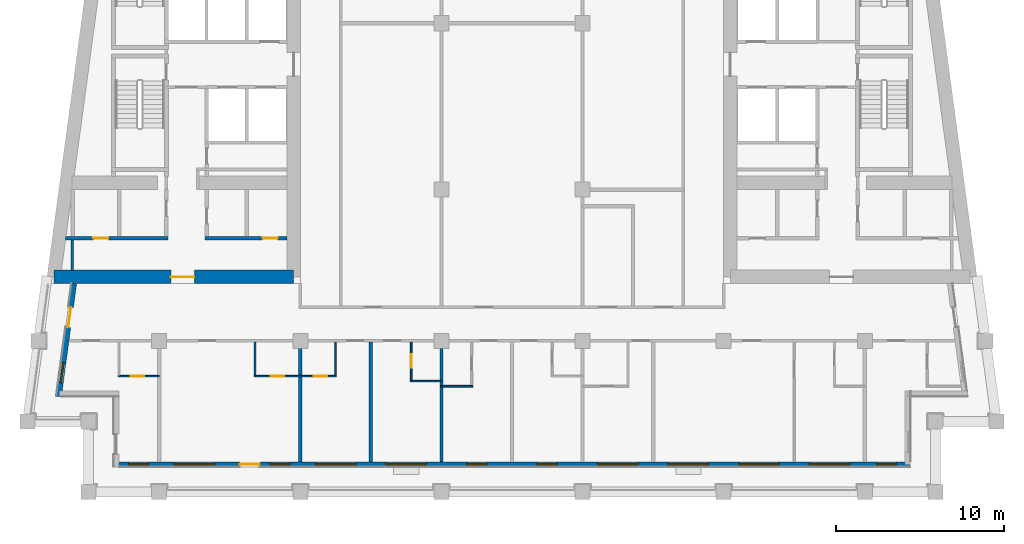
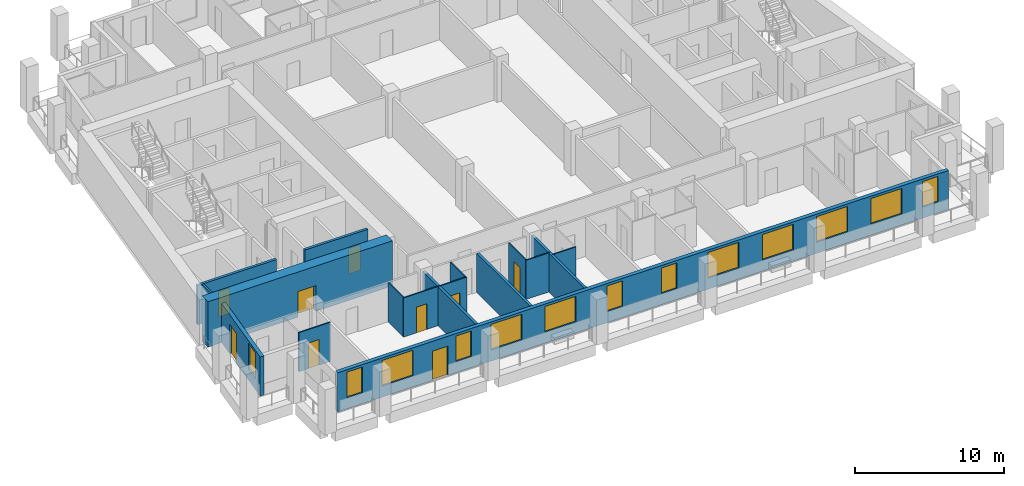
# One storey, part 2 of 13: 16 walls, 13 windows, 9 doors, 22 openings.
"""IFC4 building model written with IfcOpenShell, lengths in metres."""

import ifcopenshell
import ifcopenshell.guid

model = None  # the IFC model being written
_history = None  # IfcOwnerHistory: only IFC2X3 demands one
_inside = {}  # id of a spatial element -> (the spatial element, [elements in it])
_under = {}  # id of a project, library or spatial element -> (it, [spatial elements below it])
_declared = {}  # id of a project -> (the project, [libraries it declares])
_typed = {}  # id of a type object -> (the type object, [elements of that type])
_made_of = {}  # id of a material, layer set ... -> (it, [elements and type objects made of it])


def new_model(schema):
    """Start an empty IFC model of exactly this schema.

    Asked for "IFC4X3", IfcOpenShell would pick the latest addendum, in which some entities
    have other attributes; the version numbers below select the first issue.
    IFC2X3 requires an IfcOwnerHistory on every rooted entity: one is made here for all.
    """
    global model, _history
    if schema == "IFC4X3":
        model = ifcopenshell.file(schema_version=(4, 3, 0, 0))
    else:
        model = ifcopenshell.file(schema=schema)
    _inside.clear()
    _under.clear()
    _declared.clear()
    _typed.clear()
    _made_of.clear()
    _history = None
    if model.schema == "IFC2X3":
        org = make("IfcOrganization", Name="unknown")
        user = make(
            "IfcPersonAndOrganization",
            ThePerson=make("IfcPerson", FamilyName="unknown"),
            TheOrganization=org,
        )
        app = make(
            "IfcApplication",
            ApplicationDeveloper=org,
            Version="unknown",
            ApplicationFullName="unknown",
            ApplicationIdentifier="unknown",
        )
        _history = make(
            "IfcOwnerHistory",
            OwningUser=user,
            OwningApplication=app,
            ChangeAction="ADDED",
            CreationDate=0,
        )
    return model


def make(cls, **values):
    """One entity of the class cls with the attributes given. An attribute that is None is left unset."""
    return model.create_entity(
        cls, **{name: value for name, value in values.items() if value is not None}
    )


def rooted(cls, **values):
    """An entity with a GlobalId (a new one), such as an element, a storey or a relation."""
    return make(cls, GlobalId=ifcopenshell.guid.new(), OwnerHistory=_history, **values)


def si_unit(unit_type, name, prefix=None):
    """IfcSIUnit, for example si_unit("LENGTHUNIT", "METRE", prefix="MILLI")."""
    return make("IfcSIUnit", UnitType=unit_type, Prefix=prefix, Name=name)


def assignment(units):
    """IfcUnitAssignment: the units of a project."""
    return None if units is None else make("IfcUnitAssignment", Units=units)


def point(xyz):
    """IfcCartesianPoint."""
    return None if xyz is None else make("IfcCartesianPoint", Coordinates=xyz)


def direction(xyz):
    """IfcDirection."""
    return None if xyz is None else make("IfcDirection", DirectionRatios=xyz)


def frame(location, z_axis=None, x_axis=None):
    """IfcAxis2Placement3D, a coordinate frame: its origin and axes. An axis left out is left unset."""
    return make(
        "IfcAxis2Placement3D",
        Location=point(location),
        Axis=direction(z_axis),
        RefDirection=direction(x_axis),
    )


def frame_2d(location, x_axis=None):
    """IfcAxis2Placement2D, a coordinate frame in the plane: its origin and x axis."""
    return make(
        "IfcAxis2Placement2D", Location=point(location), RefDirection=direction(x_axis)
    )


def origin():
    """The frame at (0, 0, 0) with its axes left unset."""
    return frame((0.0, 0.0, 0.0))


def place(relative_to, where):
    """IfcLocalPlacement: puts the frame where relative to a parent placement (None: the world)."""
    return make(
        "IfcLocalPlacement", PlacementRelTo=relative_to, RelativePlacement=where
    )


def context(
    kind, dimensions, precision=None, world=None, true_north=None, identifier=None
):
    """IfcGeometricRepresentationContext, for example the 3D "Model" context."""
    return make(
        "IfcGeometricRepresentationContext",
        ContextIdentifier=identifier,
        ContextType=kind,
        CoordinateSpaceDimension=dimensions,
        Precision=precision,
        WorldCoordinateSystem=world,
        TrueNorth=true_north,
    )


def subcontext(parent, identifier, kind, view, scale=None):
    """IfcGeometricRepresentationSubContext, for example "Body" below "Model"."""
    return make(
        "IfcGeometricRepresentationSubContext",
        ContextIdentifier=identifier,
        ContextType=kind,
        ParentContext=parent,
        TargetScale=scale,
        TargetView=view,
    )


def project(units=None, contexts=None):
    """IfcProject with its units and contexts."""
    return rooted(
        "IfcProject",
        Name="project",
        RepresentationContexts=contexts,
        UnitsInContext=assignment(units),
    )


def spatial(cls, under=None, at=None, **own):
    """A site, building, storey or space (cls), placed at a placement, below another one or the project."""
    s = rooted(cls, ObjectPlacement=at, **own)
    if under is not None:
        _under.setdefault(under.id(), (under, []))[1].append(s)
    return s


def profile(cls, at=None, kind="AREA", **sizes):
    """A parametric profile (cls). Its sizes go by their IFC names, for example OverallWidth=200.0."""
    return make(cls, ProfileType=kind, Position=at, **sizes)


def rectangle(**sizes):
    """IfcRectangleProfileDef."""
    return profile("IfcRectangleProfileDef", **sizes)


def extrude(swept, where, along, depth):
    """IfcExtrudedAreaSolid: the profile swept, set in the frame where, extruded along a direction by depth."""
    return make(
        "IfcExtrudedAreaSolid",
        SweptArea=swept,
        Position=where,
        ExtrudedDirection=direction(along),
        Depth=depth,
    )


def shape(context_of_items, identifier, shape_type, items):
    """IfcShapeRepresentation: the items that make up one representation, for example the "Body"."""
    return make(
        "IfcShapeRepresentation",
        ContextOfItems=context_of_items,
        RepresentationIdentifier=identifier,
        RepresentationType=shape_type,
        Items=items,
    )


def material(Name=None, Category=None):
    """IfcMaterial."""
    return make("IfcMaterial", Name=Name, Category=Category)


def layer(
    of_material, thickness, ventilated=None, Name=None, Category=None, Priority=None
):
    """IfcMaterialLayer: one layer of a wall or slab, of a material (None: an air gap)."""
    return make(
        "IfcMaterialLayer",
        Material=of_material,
        LayerThickness=thickness,
        IsVentilated=ventilated,
        Name=Name,
        Category=Category,
        Priority=Priority,
    )


def layer_set(layers, Name=None):
    """IfcMaterialLayerSet."""
    return make("IfcMaterialLayerSet", MaterialLayers=layers, LayerSetName=Name)


def made_of(thing, what):
    """Note that an element or type object is made of a material, layer set ...; save() writes the relation."""
    if what is not None:
        _made_of.setdefault(what.id(), (what, []))[1].append(thing)
    return thing


def type_object(cls, material=None, **own):
    """A type object (cls), such as IfcWallType, which elements share."""
    return made_of(rooted(cls, **own), material)


def element(
    cls,
    number,
    at=None,
    inside=None,
    cuts=None,
    type_object=None,
    material=None,
    context=None,
    identifier="Body",
    shape_type=None,
    held_by="IfcProductDefinitionShape",
    body=None,
    shapes=None,
    **own,
):
    """One element of the class cls, such as IfcWall. Its Tag is "e" and its number.

    at: its placement. inside: the storey or other place that contains it. cuts: it is an
    opening in that element (IfcRelVoidsElement). A single representation is given by context,
    identifier, shape_type and body (its items); several are given by shapes. held_by: the class
    of the entity that holds the representations. save() writes the other relations.
    """
    e = rooted(cls, Tag="e%d" % number, ObjectPlacement=at, **own)
    if body is not None:
        shapes = [shape(context, identifier, shape_type, body)]
    if shapes is not None:
        e.Representation = make(held_by, Representations=shapes)
    if inside is not None:
        _inside.setdefault(inside.id(), (inside, []))[1].append(e)
    if cuts is not None:
        rooted(
            "IfcRelVoidsElement", RelatingBuildingElement=cuts, RelatedOpeningElement=e
        )
    if type_object is not None:
        _typed.setdefault(type_object.id(), (type_object, []))[1].append(e)
    return made_of(e, material)


def fill(opening, filler):
    """IfcRelFillsElement: the door or window that sits in an opening."""
    return rooted(
        "IfcRelFillsElement",
        RelatingOpeningElement=opening,
        RelatedBuildingElement=filler,
    )


def aggregate(whole, parts):
    """IfcRelAggregates: a whole, such as a stair, and the parts it consists of."""
    return rooted("IfcRelAggregates", RelatingObject=whole, RelatedObjects=parts)


def save(model, path):
    """Write the relations noted so far, then the file.

    IfcRelAggregates (storeys below a building ...), IfcRelContainedInSpatialStructure (elements
    in a storey), IfcRelDefinesByType, IfcRelAssociatesMaterial and IfcRelDeclares: one each for
    every whole, place, type object, material and project.
    """
    for whole, parts in _under.values():
        aggregate(whole, parts)
    for where, things in _inside.values():
        rooted(
            "IfcRelContainedInSpatialStructure",
            RelatedElements=things,
            RelatingStructure=where,
        )
    for kind, things in _typed.values():
        rooted("IfcRelDefinesByType", RelatedObjects=things, RelatingType=kind)
    for what, things in _made_of.values():
        rooted("IfcRelAssociatesMaterial", RelatedObjects=things, RelatingMaterial=what)
    for by, libraries in _declared.values():
        rooted("IfcRelDeclares", RelatingContext=by, RelatedDefinitions=libraries)
    model.write(path)


model = new_model("IFC4")

# Units and contexts
model_context = context("Model", 3, precision=1e-05, world=origin(), true_north=direction((0.0, 1.0)))
body_context = subcontext(model_context, "Body", "Model", "MODEL_VIEW")
ifc_project = project(units=[si_unit("LENGTHUNIT", "METRE"), si_unit("AREAUNIT", "SQUARE_METRE"), si_unit("VOLUMEUNIT", "CUBIC_METRE"), si_unit("PLANEANGLEUNIT", "RADIAN"), si_unit("MASSUNIT", "GRAM", prefix="KILO")], contexts=[model_context])

# Site, building, storey
site_placement = place(None, origin())
site = spatial("IfcSite", under=ifc_project, at=site_placement, CompositionType="ELEMENT")
building_placement = place(site_placement, origin())
building = spatial("IfcBuilding", under=site, at=building_placement, Name="Candeia Pilgrim Tower and Theatre", CompositionType="ELEMENT")
storey_placement = place(building_placement, frame((0.0, 0.0, 242.89990234375)))
storey = spatial("IfcBuildingStorey", under=building, at=storey_placement, Name="L59", CompositionType="ELEMENT", Elevation=242.89990234375)

# Wall, opening, door
ifc_material_1 = material(Name="Concrete C50/60", Category="concrete")
ifc_layer_1 = layer(ifc_material_1, 0.800048828125)
ifc_layer_set_1 = layer_set([ifc_layer_1], Name="Core wall 800 C50/60")
wall_type_1 = type_object("IfcWallType", Name="Core wall 800 C50/60", PredefinedType="SHEAR", material=ifc_layer_set_1)
wall_1_placement = place(storey_placement, frame((100.39990234375, 110.800048828125, 0.0), z_axis=(0.0, 0.0, 1.0), x_axis=(-1.0, 0.0, 0.0)))
wall_1 = element("IfcWall", 1, at=wall_1_placement, inside=storey, type_object=wall_type_1, Name="Core wall W3", PredefinedType="SHEAR", context=body_context, shape_type="SweptSolid", body=[
    extrude(rectangle(XDim=14.273193359375, YDim=0.800048828125, at=frame_2d((7.13671875, 0.0))), origin(), (0.0, 0.0, 1.0), 3.7001953125),
])
opening_1_placement = place(wall_1_placement, frame((5.907958984375, 0.0, 0.0)))
opening_1 = element("IfcOpeningElement", 2, at=opening_1_placement, cuts=wall_1, Name="Opening L59-D056", PredefinedType="OPENING", context=body_context, shape_type="SweptSolid", body=[
    extrude(rectangle(XDim=1.39990234375, YDim=2.10009765625, at=frame_2d((0.699951171875, 1.050048828125))), frame((0.0, 0.41015625, 0.0), z_axis=(0.0, -1.0, 0.0), x_axis=(1.0, 0.0, 0.0)), (0.0, 0.0, 1.0), 0.820068359375),
])
ifc_material_2 = material(Name="Steel fire door set", Category="steel")
door_type_1 = type_object("IfcDoorType", Name="D-1400-FD60", OperationType="NOTDEFINED", PredefinedType="DOOR", material=ifc_material_2)
door_1_placement = place(opening_1_placement, origin())
door_1 = element("IfcDoor", 3, at=door_1_placement, inside=storey, type_object=door_type_1, Name="Door L59-D056", OperationType="SINGLE_SWING_LEFT", OverallHeight=2.10009765625, OverallWidth=1.39990234375, PredefinedType="DOOR", context=body_context, shape_type="SweptSolid", body=[
    extrude(rectangle(XDim=1.39990234375, YDim=2.10009765625, at=frame_2d((0.699951171875, 1.050048828125))), frame((0.0, 0.02490234375, 0.0), z_axis=(0.0, -1.0, 0.0), x_axis=(1.0, 0.0, 0.0)), (0.0, 0.0, 1.0), 0.050048828125),
])
fill(opening_1, door_1)

# Wall, openings, door, windows
ifc_material_3 = material(Name="Ceramic block masonry", Category="masonry")
ifc_layer_2 = layer(ifc_material_3, 0.300048828125)
ifc_layer_set_2 = layer_set([ifc_layer_2], Name="EW1 glazing-line wall 300")
wall_type_2 = type_object("IfcWallType", Name="EW1 glazing-line wall 300", PredefinedType="SOLIDWALL", material=ifc_layer_set_2)
wall_2_placement = place(storey_placement, frame((89.85009765625, 99.64990234375, 0.0), z_axis=(0.0, 0.0, 1.0), x_axis=(1.0, 0.0, 0.0)))
wall_2 = element("IfcWall", 4, at=wall_2_placement, inside=storey, type_object=wall_type_2, Name="External wall L59-0.0", PredefinedType="SOLIDWALL", context=body_context, shape_type="SweptSolid", body=[
    extrude(rectangle(XDim=47.25, YDim=0.300048828125, at=frame_2d((23.625, 0.0))), origin(), (0.0, 0.0, 1.0), 3.2001953125),
])
opening_2_placement = place(wall_2_placement, frame((0.72509765625, 0.0, 0.89990234375)))
opening_2 = element("IfcOpeningElement", 5, at=opening_2_placement, cuts=wall_2, Name="Opening W-B", PredefinedType="OPENING", context=body_context, shape_type="SweptSolid", body=[
    extrude(rectangle(XDim=1.199951171875, YDim=2.10009765625, at=frame_2d((0.60009765625, 1.050048828125))), frame((0.0, 0.16015625, 0.0), z_axis=(0.0, -1.0, 0.0), x_axis=(1.0, 0.0, 0.0)), (0.0, 0.0, 1.0), 0.320068359375),
])
opening_3_placement = place(wall_2_placement, frame((3.449951171875, 0.0, 0.89990234375)))
opening_3 = element("IfcOpeningElement", 6, at=opening_3_placement, cuts=wall_2, Name="Opening W-A", PredefinedType="OPENING", context=body_context, shape_type="SweptSolid", body=[
    extrude(rectangle(XDim=2.39990234375, YDim=2.10009765625, at=frame_2d((1.199951171875, 1.050048828125))), frame((0.0, 0.16015625, 0.0), z_axis=(0.0, -1.0, 0.0), x_axis=(1.0, 0.0, 0.0)), (0.0, 0.0, 1.0), 0.320068359375),
])
opening_4_placement = place(wall_2_placement, frame((7.35009765625, 0.0, 0.0)))
opening_4 = element("IfcOpeningElement", 7, at=opening_4_placement, cuts=wall_2, Name="Opening L59-ED567", PredefinedType="OPENING", context=body_context, shape_type="SweptSolid", body=[
    extrude(rectangle(XDim=1.199951171875, YDim=2.39990234375, at=frame_2d((0.60009765625, 1.199951171875))), frame((0.0, 0.16015625, 0.0), z_axis=(0.0, -1.0, 0.0), x_axis=(1.0, 0.0, 0.0)), (0.0, 0.0, 1.0), 0.320068359375),
])
opening_5_placement = place(wall_2_placement, frame((9.14990234375, 0.0, 0.89990234375)))
opening_5 = element("IfcOpeningElement", 8, at=opening_5_placement, cuts=wall_2, Name="Opening W-B", PredefinedType="OPENING", context=body_context, shape_type="SweptSolid", body=[
    extrude(rectangle(XDim=1.199951171875, YDim=2.10009765625, at=frame_2d((0.60009765625, 1.050048828125))), frame((0.0, 0.16015625, 0.0), z_axis=(0.0, -1.0, 0.0), x_axis=(1.0, 0.0, 0.0)), (0.0, 0.0, 1.0), 0.320068359375),
])
opening_6_placement = place(wall_2_placement, frame((11.85009765625, 0.0, 0.89990234375)))
opening_6 = element("IfcOpeningElement", 9, at=opening_6_placement, cuts=wall_2, Name="Opening W-A", PredefinedType="OPENING", context=body_context, shape_type="SweptSolid", body=[
    extrude(rectangle(XDim=2.39990234375, YDim=2.10009765625, at=frame_2d((1.199951171875, 1.050048828125))), frame((0.0, 0.16015625, 0.0), z_axis=(0.0, -1.0, 0.0), x_axis=(1.0, 0.0, 0.0)), (0.0, 0.0, 1.0), 0.320068359375),
])
opening_7_placement = place(wall_2_placement, frame((16.050048828125, 0.0, 0.89990234375)))
opening_7 = element("IfcOpeningElement", 10, at=opening_7_placement, cuts=wall_2, Name="Opening W-A", PredefinedType="OPENING", context=body_context, shape_type="SweptSolid", body=[
    extrude(rectangle(XDim=2.39990234375, YDim=2.10009765625, at=frame_2d((1.199951171875, 1.050048828125))), frame((0.0, 0.16015625, 0.0), z_axis=(0.0, -1.0, 0.0), x_axis=(1.0, 0.0, 0.0)), (0.0, 0.0, 1.0), 0.320068359375),
])
opening_8_placement = place(wall_2_placement, frame((20.85009765625, 0.0, 0.89990234375)))
opening_8 = element("IfcOpeningElement", 11, at=opening_8_placement, cuts=wall_2, Name="Opening W-B", PredefinedType="OPENING", context=body_context, shape_type="SweptSolid", body=[
    extrude(rectangle(XDim=1.199951171875, YDim=2.10009765625, at=frame_2d((0.60009765625, 1.050048828125))), frame((0.0, 0.16015625, 0.0), z_axis=(0.0, -1.0, 0.0), x_axis=(1.0, 0.0, 0.0)), (0.0, 0.0, 1.0), 0.320068359375),
])
opening_9_placement = place(wall_2_placement, frame((25.050048828125, 0.0, 0.89990234375)))
opening_9 = element("IfcOpeningElement", 12, at=opening_9_placement, cuts=wall_2, Name="Opening W-B", PredefinedType="OPENING", context=body_context, shape_type="SweptSolid", body=[
    extrude(rectangle(XDim=1.199951171875, YDim=2.10009765625, at=frame_2d((0.60009765625, 1.050048828125))), frame((0.0, 0.16015625, 0.0), z_axis=(0.0, -1.0, 0.0), x_axis=(1.0, 0.0, 0.0)), (0.0, 0.0, 1.0), 0.320068359375),
])
opening_10_placement = place(wall_2_placement, frame((28.64990234375, 0.0, 0.89990234375)))
opening_10 = element("IfcOpeningElement", 13, at=opening_10_placement, cuts=wall_2, Name="Opening W-A", PredefinedType="OPENING", context=body_context, shape_type="SweptSolid", body=[
    extrude(rectangle(XDim=2.39990234375, YDim=2.10009765625, at=frame_2d((1.199951171875, 1.050048828125))), frame((0.0, 0.16015625, 0.0), z_axis=(0.0, -1.0, 0.0), x_axis=(1.0, 0.0, 0.0)), (0.0, 0.0, 1.0), 0.320068359375),
])
opening_11_placement = place(wall_2_placement, frame((32.85009765625, 0.0, 0.89990234375)))
opening_11 = element("IfcOpeningElement", 14, at=opening_11_placement, cuts=wall_2, Name="Opening W-A", PredefinedType="OPENING", context=body_context, shape_type="SweptSolid", body=[
    extrude(rectangle(XDim=2.39990234375, YDim=2.10009765625, at=frame_2d((1.199951171875, 1.050048828125))), frame((0.0, 0.16015625, 0.0), z_axis=(0.0, -1.0, 0.0), x_axis=(1.0, 0.0, 0.0)), (0.0, 0.0, 1.0), 0.320068359375),
])
opening_12_placement = place(wall_2_placement, frame((37.050048828125, 0.0, 0.89990234375)))
opening_12 = element("IfcOpeningElement", 15, at=opening_12_placement, cuts=wall_2, Name="Opening W-A", PredefinedType="OPENING", context=body_context, shape_type="SweptSolid", body=[
    extrude(rectangle(XDim=2.39990234375, YDim=2.10009765625, at=frame_2d((1.199951171875, 1.050048828125))), frame((0.0, 0.16015625, 0.0), z_axis=(0.0, -1.0, 0.0), x_axis=(1.0, 0.0, 0.0)), (0.0, 0.0, 1.0), 0.320068359375),
])
opening_13_placement = place(wall_2_placement, frame((41.25, 0.0, 0.89990234375)))
opening_13 = element("IfcOpeningElement", 16, at=opening_13_placement, cuts=wall_2, Name="Opening W-A", PredefinedType="OPENING", context=body_context, shape_type="SweptSolid", body=[
    extrude(rectangle(XDim=2.39990234375, YDim=2.10009765625, at=frame_2d((1.199951171875, 1.050048828125))), frame((0.0, 0.16015625, 0.0), z_axis=(0.0, -1.0, 0.0), x_axis=(1.0, 0.0, 0.0)), (0.0, 0.0, 1.0), 0.320068359375),
])
opening_14_placement = place(wall_2_placement, frame((45.25, 0.0, 0.89990234375)))
opening_14 = element("IfcOpeningElement", 17, at=opening_14_placement, cuts=wall_2, Name="Opening W-B", PredefinedType="OPENING", context=body_context, shape_type="SweptSolid", body=[
    extrude(rectangle(XDim=1.199951171875, YDim=2.10009765625, at=frame_2d((0.60009765625, 1.050048828125))), frame((0.0, 0.16015625, 0.0), z_axis=(0.0, -1.0, 0.0), x_axis=(1.0, 0.0, 0.0)), (0.0, 0.0, 1.0), 0.320068359375),
])
ifc_material_4 = material(Name="Aluminium framed glazed door", Category="aluminium")
door_type_2 = type_object("IfcDoorType", Name="Loggia door 1200x2400", OperationType="DOUBLE_DOOR_SINGLE_SWING", PredefinedType="DOOR", material=ifc_material_4)
door_2_placement = place(opening_4_placement, origin())
door_2 = element("IfcDoor", 18, at=door_2_placement, inside=storey, type_object=door_type_2, Name="Loggia door L59-ED567", OperationType="DOUBLE_DOOR_SINGLE_SWING", OverallHeight=2.39990234375, OverallWidth=1.199951171875, PredefinedType="DOOR", context=body_context, shape_type="SweptSolid", body=[
    extrude(rectangle(XDim=1.199951171875, YDim=2.39990234375, at=frame_2d((0.60009765625, 1.199951171875))), frame((0.0, 0.02490234375, 0.0), z_axis=(0.0, -1.0, 0.0), x_axis=(1.0, 0.0, 0.0)), (0.0, 0.0, 1.0), 0.050048828125),
])
fill(opening_4, door_2)
ifc_material_5 = material(Name="Aluminium framed double glazing", Category="aluminium")
window_type_1 = type_object("IfcWindowType", Name="W-A window 2400x2100", PartitioningType="DOUBLE_PANEL_VERTICAL", PredefinedType="WINDOW", material=ifc_material_5)
window_1_placement = place(opening_3_placement, origin())
window_1 = element("IfcWindow", 19, at=window_1_placement, inside=storey, type_object=window_type_1, Name="Window W-A L59", OverallHeight=2.10009765625, OverallWidth=2.39990234375, PartitioningType="SINGLE_PANEL", PredefinedType="WINDOW", context=body_context, shape_type="SweptSolid", body=[
    extrude(rectangle(XDim=2.39990234375, YDim=2.10009765625, at=frame_2d((1.199951171875, 1.050048828125))), frame((0.0, 0.030029296875, 0.0), z_axis=(0.0, -1.0, 0.0), x_axis=(1.0, 0.0, 0.0)), (0.0, 0.0, 1.0), 0.06005859375),
])
fill(opening_3, window_1)
window_2_placement = place(opening_6_placement, origin())
window_2 = element("IfcWindow", 20, at=window_2_placement, inside=storey, type_object=window_type_1, Name="Window W-A L59", OverallHeight=2.10009765625, OverallWidth=2.39990234375, PartitioningType="SINGLE_PANEL", PredefinedType="WINDOW", context=body_context, shape_type="SweptSolid", body=[
    extrude(rectangle(XDim=2.39990234375, YDim=2.10009765625, at=frame_2d((1.199951171875, 1.050048828125))), frame((0.0, 0.030029296875, 0.0), z_axis=(0.0, -1.0, 0.0), x_axis=(1.0, 0.0, 0.0)), (0.0, 0.0, 1.0), 0.06005859375),
])
fill(opening_6, window_2)
window_3_placement = place(opening_7_placement, origin())
window_3 = element("IfcWindow", 21, at=window_3_placement, inside=storey, type_object=window_type_1, Name="Window W-A L59", OverallHeight=2.10009765625, OverallWidth=2.39990234375, PartitioningType="SINGLE_PANEL", PredefinedType="WINDOW", context=body_context, shape_type="SweptSolid", body=[
    extrude(rectangle(XDim=2.39990234375, YDim=2.10009765625, at=frame_2d((1.199951171875, 1.050048828125))), frame((0.0, 0.030029296875, 0.0), z_axis=(0.0, -1.0, 0.0), x_axis=(1.0, 0.0, 0.0)), (0.0, 0.0, 1.0), 0.06005859375),
])
fill(opening_7, window_3)
window_4_placement = place(opening_10_placement, origin())
window_4 = element("IfcWindow", 22, at=window_4_placement, inside=storey, type_object=window_type_1, Name="Window W-A L59", OverallHeight=2.10009765625, OverallWidth=2.39990234375, PartitioningType="SINGLE_PANEL", PredefinedType="WINDOW", context=body_context, shape_type="SweptSolid", body=[
    extrude(rectangle(XDim=2.39990234375, YDim=2.10009765625, at=frame_2d((1.199951171875, 1.050048828125))), frame((0.0, 0.030029296875, 0.0), z_axis=(0.0, -1.0, 0.0), x_axis=(1.0, 0.0, 0.0)), (0.0, 0.0, 1.0), 0.06005859375),
])
fill(opening_10, window_4)
window_5_placement = place(opening_11_placement, origin())
window_5 = element("IfcWindow", 23, at=window_5_placement, inside=storey, type_object=window_type_1, Name="Window W-A L59", OverallHeight=2.10009765625, OverallWidth=2.39990234375, PartitioningType="SINGLE_PANEL", PredefinedType="WINDOW", context=body_context, shape_type="SweptSolid", body=[
    extrude(rectangle(XDim=2.39990234375, YDim=2.10009765625, at=frame_2d((1.199951171875, 1.050048828125))), frame((0.0, 0.030029296875, 0.0), z_axis=(0.0, -1.0, 0.0), x_axis=(1.0, 0.0, 0.0)), (0.0, 0.0, 1.0), 0.06005859375),
])
fill(opening_11, window_5)
window_6_placement = place(opening_12_placement, origin())
window_6 = element("IfcWindow", 24, at=window_6_placement, inside=storey, type_object=window_type_1, Name="Window W-A L59", OverallHeight=2.10009765625, OverallWidth=2.39990234375, PartitioningType="SINGLE_PANEL", PredefinedType="WINDOW", context=body_context, shape_type="SweptSolid", body=[
    extrude(rectangle(XDim=2.39990234375, YDim=2.10009765625, at=frame_2d((1.199951171875, 1.050048828125))), frame((0.0, 0.030029296875, 0.0), z_axis=(0.0, -1.0, 0.0), x_axis=(1.0, 0.0, 0.0)), (0.0, 0.0, 1.0), 0.06005859375),
])
fill(opening_12, window_6)
window_7_placement = place(opening_13_placement, origin())
window_7 = element("IfcWindow", 25, at=window_7_placement, inside=storey, type_object=window_type_1, Name="Window W-A L59", OverallHeight=2.10009765625, OverallWidth=2.39990234375, PartitioningType="SINGLE_PANEL", PredefinedType="WINDOW", context=body_context, shape_type="SweptSolid", body=[
    extrude(rectangle(XDim=2.39990234375, YDim=2.10009765625, at=frame_2d((1.199951171875, 1.050048828125))), frame((0.0, 0.030029296875, 0.0), z_axis=(0.0, -1.0, 0.0), x_axis=(1.0, 0.0, 0.0)), (0.0, 0.0, 1.0), 0.06005859375),
])
fill(opening_13, window_7)
window_type_2 = type_object("IfcWindowType", Name="W-B window 1200x2100", PartitioningType="SINGLE_PANEL", PredefinedType="WINDOW", material=ifc_material_5)
window_8_placement = place(opening_2_placement, origin())
window_8 = element("IfcWindow", 26, at=window_8_placement, inside=storey, type_object=window_type_2, Name="Window W-B L59", OverallHeight=2.10009765625, OverallWidth=1.199951171875, PartitioningType="SINGLE_PANEL", PredefinedType="WINDOW", context=body_context, shape_type="SweptSolid", body=[
    extrude(rectangle(XDim=1.199951171875, YDim=2.10009765625, at=frame_2d((0.60009765625, 1.050048828125))), frame((0.0, 0.030029296875, 0.0), z_axis=(0.0, -1.0, 0.0), x_axis=(1.0, 0.0, 0.0)), (0.0, 0.0, 1.0), 0.06005859375),
])
fill(opening_2, window_8)
window_9_placement = place(opening_5_placement, origin())
window_9 = element("IfcWindow", 27, at=window_9_placement, inside=storey, type_object=window_type_2, Name="Window W-B L59", OverallHeight=2.10009765625, OverallWidth=1.199951171875, PartitioningType="SINGLE_PANEL", PredefinedType="WINDOW", context=body_context, shape_type="SweptSolid", body=[
    extrude(rectangle(XDim=1.199951171875, YDim=2.10009765625, at=frame_2d((0.60009765625, 1.050048828125))), frame((0.0, 0.030029296875, 0.0), z_axis=(0.0, -1.0, 0.0), x_axis=(1.0, 0.0, 0.0)), (0.0, 0.0, 1.0), 0.06005859375),
])
fill(opening_5, window_9)
window_10_placement = place(opening_8_placement, origin())
window_10 = element("IfcWindow", 28, at=window_10_placement, inside=storey, type_object=window_type_2, Name="Window W-B L59", OverallHeight=2.10009765625, OverallWidth=1.199951171875, PartitioningType="SINGLE_PANEL", PredefinedType="WINDOW", context=body_context, shape_type="SweptSolid", body=[
    extrude(rectangle(XDim=1.199951171875, YDim=2.10009765625, at=frame_2d((0.60009765625, 1.050048828125))), frame((0.0, 0.030029296875, 0.0), z_axis=(0.0, -1.0, 0.0), x_axis=(1.0, 0.0, 0.0)), (0.0, 0.0, 1.0), 0.06005859375),
])
fill(opening_8, window_10)
window_11_placement = place(opening_9_placement, origin())
window_11 = element("IfcWindow", 29, at=window_11_placement, inside=storey, type_object=window_type_2, Name="Window W-B L59", OverallHeight=2.10009765625, OverallWidth=1.199951171875, PartitioningType="SINGLE_PANEL", PredefinedType="WINDOW", context=body_context, shape_type="SweptSolid", body=[
    extrude(rectangle(XDim=1.199951171875, YDim=2.10009765625, at=frame_2d((0.60009765625, 1.050048828125))), frame((0.0, 0.030029296875, 0.0), z_axis=(0.0, -1.0, 0.0), x_axis=(1.0, 0.0, 0.0)), (0.0, 0.0, 1.0), 0.06005859375),
])
fill(opening_9, window_11)
window_12_placement = place(opening_14_placement, origin())
window_12 = element("IfcWindow", 30, at=window_12_placement, inside=storey, type_object=window_type_2, Name="Window W-B L59", OverallHeight=2.10009765625, OverallWidth=1.199951171875, PartitioningType="SINGLE_PANEL", PredefinedType="WINDOW", context=body_context, shape_type="SweptSolid", body=[
    extrude(rectangle(XDim=1.199951171875, YDim=2.10009765625, at=frame_2d((0.60009765625, 1.050048828125))), frame((0.0, 0.030029296875, 0.0), z_axis=(0.0, -1.0, 0.0), x_axis=(1.0, 0.0, 0.0)), (0.0, 0.0, 1.0), 0.06005859375),
])
fill(opening_14, window_12)

# Wall, openings, door, window
wall_3_placement = place(storey_placement, frame((87.334228515625, 110.39990234375, 0.0), z_axis=(0.0, 0.0, 1.0), x_axis=(-0.133437175554, -0.991057273915, 0.0)))
wall_3 = element("IfcWall", 31, at=wall_3_placement, inside=storey, type_object=wall_type_2, Name="External wall L59-9.1", PredefinedType="SOLIDWALL", context=body_context, shape_type="SweptSolid", body=[
    extrude(rectangle(XDim=6.780517578125, YDim=0.300048828125, at=frame_2d((3.39013671875, 0.0))), origin(), (0.0, 0.0, 1.0), 3.2001953125),
])
opening_15_placement = place(wall_3_placement, frame((1.41796875, 0.0, 0.0)))
opening_15 = element("IfcOpeningElement", 32, at=opening_15_placement, cuts=wall_3, Name="Opening L59-ED575", PredefinedType="OPENING", context=body_context, shape_type="SweptSolid", body=[
    extrude(rectangle(XDim=1.199951171875, YDim=2.39990234375, at=frame_2d((0.60009765625, 1.199951171875))), frame((0.0, 0.16015625, 0.0), z_axis=(0.0, -1.0, 0.0), x_axis=(1.0, 0.0, 0.0)), (0.0, 0.0, 1.0), 0.320068359375),
])
opening_16_placement = place(wall_3_placement, frame((4.75830078125, 0.0, 0.89990234375)))
opening_16 = element("IfcOpeningElement", 33, at=opening_16_placement, cuts=wall_3, Name="Opening W-B", PredefinedType="OPENING", context=body_context, shape_type="SweptSolid", body=[
    extrude(rectangle(XDim=1.199951171875, YDim=2.10009765625, at=frame_2d((0.60009765625, 1.050048828125))), frame((0.0, 0.16015625, 0.0), z_axis=(0.0, -1.0, 0.0), x_axis=(1.0, 0.0, 0.0)), (0.0, 0.0, 1.0), 0.320068359375),
])
door_3_placement = place(opening_15_placement, origin())
door_3 = element("IfcDoor", 34, at=door_3_placement, inside=storey, type_object=door_type_2, Name="Loggia door L59-ED575", OperationType="DOUBLE_DOOR_SINGLE_SWING", OverallHeight=2.39990234375, OverallWidth=1.199951171875, PredefinedType="DOOR", context=body_context, shape_type="SweptSolid", body=[
    extrude(rectangle(XDim=1.199951171875, YDim=2.39990234375, at=frame_2d((0.60009765625, 1.199951171875))), frame((0.0, 0.02490234375, 0.0), z_axis=(0.0, -1.0, 0.0), x_axis=(1.0, 0.0, 0.0)), (0.0, 0.0, 1.0), 0.050048828125),
])
fill(opening_15, door_3)
window_13_placement = place(opening_16_placement, origin())
window_13 = element("IfcWindow", 35, at=window_13_placement, inside=storey, type_object=window_type_2, Name="Window W-B L59", OverallHeight=2.10009765625, OverallWidth=1.199951171875, PartitioningType="SINGLE_PANEL", PredefinedType="WINDOW", context=body_context, shape_type="SweptSolid", body=[
    extrude(rectangle(XDim=1.199951171875, YDim=2.10009765625, at=frame_2d((0.60009765625, 1.050048828125))), frame((0.0, 0.030029296875, 0.0), z_axis=(0.0, -1.0, 0.0), x_axis=(1.0, 0.0, 0.0)), (0.0, 0.0, 1.0), 0.06005859375),
])
fill(opening_16, window_13)

# Walls
ifc_material_6 = material(Name="Gypsum board partition on steel studs", Category="steel")
ifc_layer_3 = layer(ifc_material_6, 0.10009765625)
ifc_layer_set_3 = layer_set([ifc_layer_3], Name="PW-100 room partition")
wall_type_3 = type_object("IfcWallType", Name="PW-100 room partition", PredefinedType="PARTITIONING", material=ifc_layer_set_3)
wall_4_placement = place(storey_placement, frame((109.199951171875, 104.300048828125, 0.0), z_axis=(0.0, 0.0, 1.0), x_axis=(1.0, 0.0, 0.0)))
element("IfcWall", 36, at=wall_4_placement, inside=storey, type_object=wall_type_3, Name="Room partition L59-001", PredefinedType="PARTITIONING", context=body_context, shape_type="SweptSolid", body=[
    extrude(rectangle(XDim=1.85009765625, YDim=0.10009765625, at=frame_2d((0.925048828125, 0.0))), origin(), (0.0, 0.0, 1.0), 3.2001953125),
])
wall_5_placement = place(storey_placement, frame((107.35009765625, 104.60009765625, 0.0), z_axis=(0.0, 0.0, 1.0), x_axis=(1.0, 0.0, 0.0)))
element("IfcWall", 37, at=wall_5_placement, inside=storey, type_object=wall_type_3, Name="Room partition L59-005", PredefinedType="PARTITIONING", context=body_context, shape_type="SweptSolid", body=[
    extrude(rectangle(XDim=1.849853515625, YDim=0.10009765625, at=frame_2d((0.9248046875, 0.0))), origin(), (0.0, 0.0, 1.0), 3.2001953125),
])

# Wall, opening, door
wall_6_placement = place(storey_placement, frame((89.949951171875, 104.89990234375, 0.0), z_axis=(0.0, 0.0, 1.0), x_axis=(1.0, 0.0, 0.0)))
wall_6 = element("IfcWall", 38, at=wall_6_placement, inside=storey, type_object=wall_type_3, Name="Room partition L59-006", PredefinedType="PARTITIONING", context=body_context, shape_type="SweptSolid", body=[
    extrude(rectangle(XDim=2.449951171875, YDim=0.10009765625, at=frame_2d((1.22509765625, 0.0))), origin(), (0.0, 0.0, 1.0), 3.2001953125),
])
opening_17_placement = place(wall_6_placement, frame((0.760009765625, 0.0, 0.0)))
opening_17 = element("IfcOpeningElement", 39, at=opening_17_placement, cuts=wall_6, Name="Opening L59-D018", PredefinedType="OPENING", context=body_context, shape_type="SweptSolid", body=[
    extrude(rectangle(XDim=0.800048828125, YDim=2.10009765625, at=frame_2d((0.39990234375, 1.050048828125))), frame((0.0, 0.06005859375, 0.0), z_axis=(0.0, -1.0, 0.0), x_axis=(1.0, 0.0, 0.0)), (0.0, 0.0, 1.0), 0.1201171875),
])
ifc_material_7 = material(Name="Timber door leaf", Category="wood")
door_type_3 = type_object("IfcDoorType", Name="D-800", OperationType="NOTDEFINED", PredefinedType="DOOR", material=ifc_material_7)
door_4_placement = place(opening_17_placement, origin())
door_4 = element("IfcDoor", 40, at=door_4_placement, inside=storey, type_object=door_type_3, Name="Door L59-D018", OperationType="SINGLE_SWING_LEFT", OverallHeight=2.10009765625, OverallWidth=0.800048828125, PredefinedType="DOOR", context=body_context, shape_type="SweptSolid", body=[
    extrude(rectangle(XDim=0.800048828125, YDim=2.10009765625, at=frame_2d((0.39990234375, 1.050048828125))), frame((0.0, 0.02490234375, 0.0), z_axis=(0.0, -1.0, 0.0), x_axis=(1.0, 0.0, 0.0)), (0.0, 0.0, 1.0), 0.050048828125),
])
fill(opening_17, door_4)

# Wall, openings, doors
wall_7_placement = place(storey_placement, frame((98.050048828125, 104.89990234375, 0.0), z_axis=(0.0, 0.0, 1.0), x_axis=(1.0, 0.0, 0.0)))
wall_7 = element("IfcWall", 41, at=wall_7_placement, inside=storey, type_object=wall_type_3, Name="Room partition L59-007", PredefinedType="PARTITIONING", context=body_context, shape_type="SweptSolid", body=[
    extrude(rectangle(XDim=4.89990234375, YDim=0.10009765625, at=frame_2d((2.449951171875, 0.0))), origin(), (0.0, 0.0, 1.0), 3.2001953125),
])
opening_18_placement = place(wall_7_placement, frame((1.0, 0.0, 0.0)))
opening_18 = element("IfcOpeningElement", 42, at=opening_18_placement, cuts=wall_7, Name="Opening L59-D020", PredefinedType="OPENING", context=body_context, shape_type="SweptSolid", body=[
    extrude(rectangle(XDim=0.800048828125, YDim=2.10009765625, at=frame_2d((0.39990234375, 1.050048828125))), frame((0.0, 0.06005859375, 0.0), z_axis=(0.0, -1.0, 0.0), x_axis=(1.0, 0.0, 0.0)), (0.0, 0.0, 1.0), 0.1201171875),
])
opening_19_placement = place(wall_7_placement, frame((3.550048828125, 0.0, 0.0)))
opening_19 = element("IfcOpeningElement", 43, at=opening_19_placement, cuts=wall_7, Name="Opening L59-D022", PredefinedType="OPENING", context=body_context, shape_type="SweptSolid", body=[
    extrude(rectangle(XDim=0.800048828125, YDim=2.10009765625, at=frame_2d((0.39990234375, 1.050048828125))), frame((0.0, 0.06005859375, 0.0), z_axis=(0.0, -1.0, 0.0), x_axis=(1.0, 0.0, 0.0)), (0.0, 0.0, 1.0), 0.1201171875),
])
door_5_placement = place(opening_18_placement, origin())
door_5 = element("IfcDoor", 44, at=door_5_placement, inside=storey, type_object=door_type_3, Name="Door L59-D020", OperationType="SINGLE_SWING_LEFT", OverallHeight=2.10009765625, OverallWidth=0.800048828125, PredefinedType="DOOR", context=body_context, shape_type="SweptSolid", body=[
    extrude(rectangle(XDim=0.800048828125, YDim=2.10009765625, at=frame_2d((0.39990234375, 1.050048828125))), frame((0.0, 0.02490234375, 0.0), z_axis=(0.0, -1.0, 0.0), x_axis=(1.0, 0.0, 0.0)), (0.0, 0.0, 1.0), 0.050048828125),
])
fill(opening_18, door_5)
door_6_placement = place(opening_19_placement, origin())
door_6 = element("IfcDoor", 45, at=door_6_placement, inside=storey, type_object=door_type_3, Name="Door L59-D022", OperationType="SINGLE_SWING_LEFT", OverallHeight=2.10009765625, OverallWidth=0.800048828125, PredefinedType="DOOR", context=body_context, shape_type="SweptSolid", body=[
    extrude(rectangle(XDim=0.800048828125, YDim=2.10009765625, at=frame_2d((0.39990234375, 1.050048828125))), frame((0.0, 0.02490234375, 0.0), z_axis=(0.0, -1.0, 0.0), x_axis=(1.0, 0.0, 0.0)), (0.0, 0.0, 1.0), 0.050048828125),
])
fill(opening_19, door_6)

# Walls
for number, where, z_axis, x_axis, name in (
    (46, (98.10009765625, 104.949951171875, 0.0), (0.0, 0.0, 1.0), (0.0, 1.0, 0.0), "Room partition L59-068"),
    (47, (102.89990234375, 104.949951171875, 0.0), (0.0, 0.0, 1.0), (0.0, 1.0, 0.0), "Room partition L59-073"),
):
    element("IfcWall", number, at=place(storey_placement, frame(where, z_axis=z_axis, x_axis=x_axis)), inside=storey, type_object=wall_type_3, Name=name, PredefinedType="PARTITIONING", context=body_context, shape_type="SweptSolid", body=[
        extrude(rectangle(XDim=1.97509765625, YDim=0.10009765625, at=frame_2d((0.987548828125, 0.0))), origin(), (0.0, 0.0, 1.0), 3.2001953125),
    ])

# Wall, opening, door
wall_8_placement = place(storey_placement, frame((107.39990234375, 104.64990234375, 0.0), z_axis=(0.0, 0.0, 1.0), x_axis=(0.0, 1.0, 0.0)))
wall_8 = element("IfcWall", 48, at=wall_8_placement, inside=storey, type_object=wall_type_3, Name="Room partition L59-078", PredefinedType="PARTITIONING", context=body_context, shape_type="SweptSolid", body=[
    extrude(rectangle(XDim=2.275146484375, YDim=0.10009765625, at=frame_2d((1.1376953125, 0.0))), origin(), (0.0, 0.0, 1.0), 3.2001953125),
])
opening_20_placement = place(wall_8_placement, frame((0.75, 0.0, 0.0)))
opening_20 = element("IfcOpeningElement", 49, at=opening_20_placement, cuts=wall_8, Name="Opening L59-D024", PredefinedType="OPENING", context=body_context, shape_type="SweptSolid", body=[
    extrude(rectangle(XDim=0.800048828125, YDim=2.10009765625, at=frame_2d((0.39990234375, 1.050048828125))), frame((0.0, 0.06005859375, 0.0), z_axis=(0.0, -1.0, 0.0), x_axis=(1.0, 0.0, 0.0)), (0.0, 0.0, 1.0), 0.1201171875),
])
door_7_placement = place(opening_20_placement, origin())
door_7 = element("IfcDoor", 50, at=door_7_placement, inside=storey, type_object=door_type_3, Name="Door L59-D024", OperationType="SINGLE_SWING_LEFT", OverallHeight=2.10009765625, OverallWidth=0.800048828125, PredefinedType="DOOR", context=body_context, shape_type="SweptSolid", body=[
    extrude(rectangle(XDim=0.800048828125, YDim=2.10009765625, at=frame_2d((0.39990234375, 1.050048828125))), frame((0.0, 0.02490234375, 0.0), z_axis=(0.0, -1.0, 0.0), x_axis=(1.0, 0.0, 0.0)), (0.0, 0.0, 1.0), 0.050048828125),
])
fill(opening_20, door_7)

# Walls
ifc_layer_4 = layer(ifc_material_6, 0.14990234375)
ifc_layer_set_4 = layer_set([ifc_layer_4], Name="PW-150 lobby wall")
wall_type_4 = type_object("IfcWallType", Name="PW-150 lobby wall", PredefinedType="PARTITIONING", material=ifc_layer_set_4)
wall_9_placement = place(storey_placement, frame((87.22705078125, 111.199951171875, 0.0), z_axis=(0.0, 0.0, 1.0), x_axis=(0.0, 1.0, 0.0)))
element("IfcWall", 51, at=wall_9_placement, inside=storey, type_object=wall_type_4, Name="Lobby wall L59-048", PredefinedType="PARTITIONING", context=body_context, shape_type="SweptSolid", body=[
    extrude(rectangle(XDim=1.800048828125, YDim=0.14990234375, at=frame_2d((0.89990234375, 0.0))), origin(), (0.0, 0.0, 1.0), 3.2001953125),
])
ifc_layer_5 = layer(ifc_material_6, 0.199951171875)
ifc_layer_set_5 = layer_set([ifc_layer_5], Name="PW-200 party wall")
wall_type_5 = type_object("IfcWallType", Name="PW-200 party wall", PredefinedType="PARTITIONING", material=ifc_layer_set_5)
for number, where, z_axis, x_axis, name in (
    (52, (100.800048828125, 99.7900390625, 0.0), (0.0, 0.0, 1.0), (0.0, 1.0, 0.0), "Party wall L59-069"),
    (53, (105.0, 99.7900390625, 0.0), (0.0, 0.0, 1.0), (0.0, 1.0, 0.0), "Party wall L59-076"),
    (54, (109.199951171875, 99.7900390625, 0.0), (0.0, 0.0, 1.0), (0.0, 1.0, 0.0), "Party wall L59-079"),
):
    element("IfcWall", number, at=place(storey_placement, frame(where, z_axis=z_axis, x_axis=x_axis)), inside=storey, type_object=wall_type_5, Name=name, PredefinedType="PARTITIONING", context=body_context, shape_type="SweptSolid", body=[
        extrude(rectangle(XDim=7.135009765625, YDim=0.199951171875, at=frame_2d((3.5673828125, 0.0))), origin(), (0.0, 0.0, 1.0), 3.2001953125),
    ])

# Wall, opening, door
ifc_material_8 = material(Name="Concrete C40/50", Category="concrete")
ifc_layer_6 = layer(ifc_material_8, 0.199951171875)
ifc_layer_set_6 = layer_set([ifc_layer_6], Name="SW-200 shaft wall")
wall_type_6 = type_object("IfcWallType", Name="SW-200 shaft wall", PredefinedType="PARTITIONING", material=ifc_layer_set_6)
wall_10_placement = place(storey_placement, frame((86.809814453125, 113.10009765625, 0.0), z_axis=(0.0, 0.0, 1.0), x_axis=(1.0, 0.0, 0.0)))
wall_10 = element("IfcWall", 55, at=wall_10_placement, inside=storey, type_object=wall_type_6, Name="Shaft wall L59-011", PredefinedType="PARTITIONING", context=body_context, shape_type="SweptSolid", body=[
    extrude(rectangle(XDim=6.1171875, YDim=0.199951171875, at=frame_2d((3.05859375, 0.0))), origin(), (0.0, 0.0, 1.0), 3.2001953125),
])
opening_21_placement = place(wall_10_placement, frame((1.6669921875, 0.0, 0.0)))
opening_21 = element("IfcOpeningElement", 56, at=opening_21_placement, cuts=wall_10, Name="Opening L59-D005", PredefinedType="OPENING", context=body_context, shape_type="SweptSolid", body=[
    extrude(rectangle(XDim=0.89990234375, YDim=2.10009765625, at=frame_2d((0.449951171875, 1.050048828125))), frame((0.0, 0.10986328125, 0.0), z_axis=(0.0, -1.0, 0.0), x_axis=(1.0, 0.0, 0.0)), (0.0, 0.0, 1.0), 0.219970703125),
])
door_type_4 = type_object("IfcDoorType", Name="D-900-FD60", OperationType="NOTDEFINED", PredefinedType="DOOR", material=ifc_material_2)
door_8_placement = place(opening_21_placement, origin())
door_8 = element("IfcDoor", 57, at=door_8_placement, inside=storey, type_object=door_type_4, Name="Door L59-D005", OperationType="SINGLE_SWING_RIGHT", OverallHeight=2.10009765625, OverallWidth=0.89990234375, PredefinedType="DOOR", context=body_context, shape_type="SweptSolid", body=[
    extrude(rectangle(XDim=0.89990234375, YDim=2.10009765625, at=frame_2d((0.449951171875, 1.050048828125))), frame((0.0, 0.02490234375, 0.0), z_axis=(0.0, -1.0, 0.0), x_axis=(1.0, 0.0, 0.0)), (0.0, 0.0, 1.0), 0.050048828125),
])
fill(opening_21, door_8)

wall_11_placement = place(storey_placement, frame((95.126953125, 113.10009765625, 0.0), z_axis=(0.0, 0.0, 1.0), x_axis=(1.0, 0.0, 0.0)))
wall_11 = element("IfcWall", 58, at=wall_11_placement, inside=storey, type_object=wall_type_6, Name="Shaft wall L59-012", PredefinedType="PARTITIONING", context=body_context, shape_type="SweptSolid", body=[
    extrude(rectangle(XDim=4.873046875, YDim=0.199951171875, at=frame_2d((2.4365234375, 0.0))), origin(), (0.0, 0.0, 1.0), 3.2001953125),
])
opening_22_placement = place(wall_11_placement, frame((3.426025390625, 0.0, 0.0)))
opening_22 = element("IfcOpeningElement", 59, at=opening_22_placement, cuts=wall_11, Name="Opening L59-D008", PredefinedType="OPENING", context=body_context, shape_type="SweptSolid", body=[
    extrude(rectangle(XDim=0.89990234375, YDim=2.10009765625, at=frame_2d((0.449951171875, 1.050048828125))), frame((0.0, 0.10986328125, 0.0), z_axis=(0.0, -1.0, 0.0), x_axis=(1.0, 0.0, 0.0)), (0.0, 0.0, 1.0), 0.219970703125),
])
door_9_placement = place(opening_22_placement, origin())
door_9 = element("IfcDoor", 60, at=door_9_placement, inside=storey, type_object=door_type_4, Name="Door L59-D008", OperationType="SINGLE_SWING_LEFT", OverallHeight=2.10009765625, OverallWidth=0.89990234375, PredefinedType="DOOR", context=body_context, shape_type="SweptSolid", body=[
    extrude(rectangle(XDim=0.89990234375, YDim=2.10009765625, at=frame_2d((0.449951171875, 1.050048828125))), frame((0.0, 0.02490234375, 0.0), z_axis=(0.0, -1.0, 0.0), x_axis=(1.0, 0.0, 0.0)), (0.0, 0.0, 1.0), 0.050048828125),
])
fill(opening_22, door_9)

save(model, "model.ifc")
